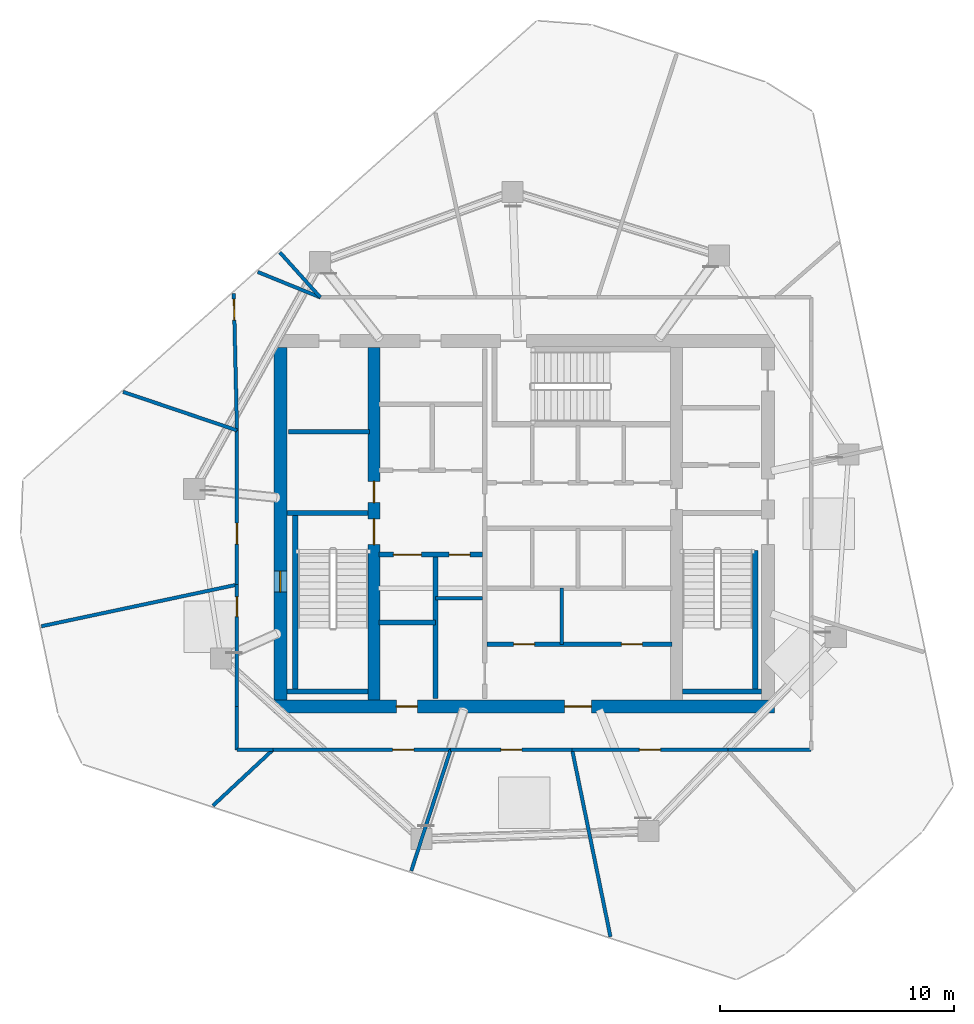
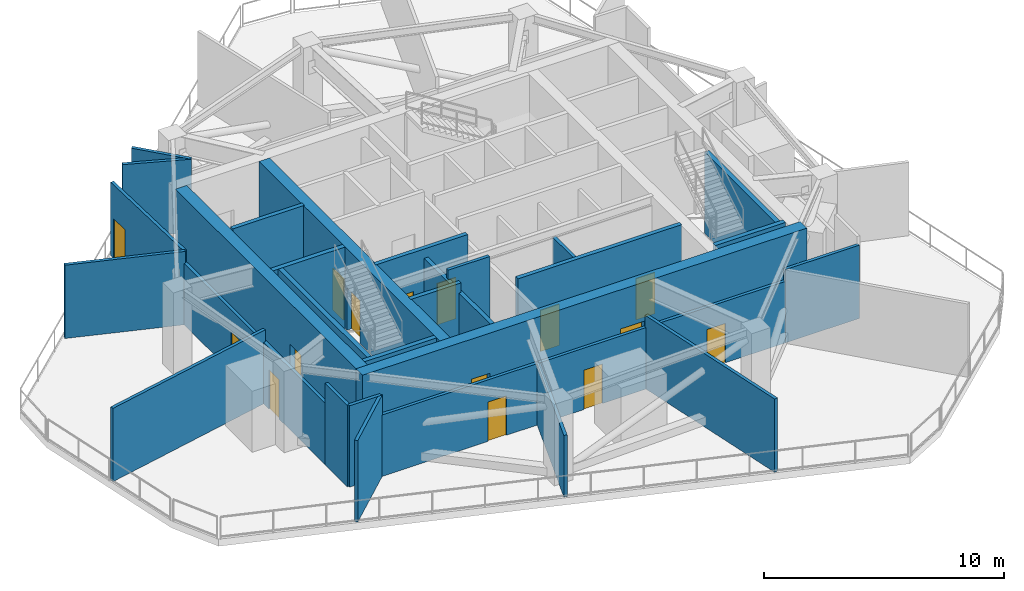
# One storey, part 2 of 6: 31 walls, 15 doors, 15 openings.
"""IFC4 building model written with IfcOpenShell, lengths in metres."""

import ifcopenshell
import ifcopenshell.guid

model = None  # the IFC model being written
_history = None  # IfcOwnerHistory: only IFC2X3 demands one
_inside = {}  # id of a spatial element -> (the spatial element, [elements in it])
_under = {}  # id of a project, library or spatial element -> (it, [spatial elements below it])
_declared = {}  # id of a project -> (the project, [libraries it declares])
_typed = {}  # id of a type object -> (the type object, [elements of that type])
_made_of = {}  # id of a material, layer set ... -> (it, [elements and type objects made of it])


def new_model(schema):
    """Start an empty IFC model of exactly this schema.

    Asked for "IFC4X3", IfcOpenShell would pick the latest addendum, in which some entities
    have other attributes; the version numbers below select the first issue.
    IFC2X3 requires an IfcOwnerHistory on every rooted entity: one is made here for all.
    """
    global model, _history
    if schema == "IFC4X3":
        model = ifcopenshell.file(schema_version=(4, 3, 0, 0))
    else:
        model = ifcopenshell.file(schema=schema)
    _inside.clear()
    _under.clear()
    _declared.clear()
    _typed.clear()
    _made_of.clear()
    _history = None
    if model.schema == "IFC2X3":
        org = make("IfcOrganization", Name="unknown")
        user = make(
            "IfcPersonAndOrganization",
            ThePerson=make("IfcPerson", FamilyName="unknown"),
            TheOrganization=org,
        )
        app = make(
            "IfcApplication",
            ApplicationDeveloper=org,
            Version="unknown",
            ApplicationFullName="unknown",
            ApplicationIdentifier="unknown",
        )
        _history = make(
            "IfcOwnerHistory",
            OwningUser=user,
            OwningApplication=app,
            ChangeAction="ADDED",
            CreationDate=0,
        )
    return model


def make(cls, **values):
    """One entity of the class cls with the attributes given. An attribute that is None is left unset."""
    return model.create_entity(
        cls, **{name: value for name, value in values.items() if value is not None}
    )


def rooted(cls, **values):
    """An entity with a GlobalId (a new one), such as an element, a storey or a relation."""
    return make(cls, GlobalId=ifcopenshell.guid.new(), OwnerHistory=_history, **values)


def si_unit(unit_type, name, prefix=None):
    """IfcSIUnit, for example si_unit("LENGTHUNIT", "METRE", prefix="MILLI")."""
    return make("IfcSIUnit", UnitType=unit_type, Prefix=prefix, Name=name)


def assignment(units):
    """IfcUnitAssignment: the units of a project."""
    return None if units is None else make("IfcUnitAssignment", Units=units)


def point(xyz):
    """IfcCartesianPoint."""
    return None if xyz is None else make("IfcCartesianPoint", Coordinates=xyz)


def direction(xyz):
    """IfcDirection."""
    return None if xyz is None else make("IfcDirection", DirectionRatios=xyz)


def frame(location, z_axis=None, x_axis=None):
    """IfcAxis2Placement3D, a coordinate frame: its origin and axes. An axis left out is left unset."""
    return make(
        "IfcAxis2Placement3D",
        Location=point(location),
        Axis=direction(z_axis),
        RefDirection=direction(x_axis),
    )


def frame_2d(location, x_axis=None):
    """IfcAxis2Placement2D, a coordinate frame in the plane: its origin and x axis."""
    return make(
        "IfcAxis2Placement2D", Location=point(location), RefDirection=direction(x_axis)
    )


def origin():
    """The frame at (0, 0, 0) with its axes left unset."""
    return frame((0.0, 0.0, 0.0))


def place(relative_to, where):
    """IfcLocalPlacement: puts the frame where relative to a parent placement (None: the world)."""
    return make(
        "IfcLocalPlacement", PlacementRelTo=relative_to, RelativePlacement=where
    )


def context(
    kind, dimensions, precision=None, world=None, true_north=None, identifier=None
):
    """IfcGeometricRepresentationContext, for example the 3D "Model" context."""
    return make(
        "IfcGeometricRepresentationContext",
        ContextIdentifier=identifier,
        ContextType=kind,
        CoordinateSpaceDimension=dimensions,
        Precision=precision,
        WorldCoordinateSystem=world,
        TrueNorth=true_north,
    )


def subcontext(parent, identifier, kind, view, scale=None):
    """IfcGeometricRepresentationSubContext, for example "Body" below "Model"."""
    return make(
        "IfcGeometricRepresentationSubContext",
        ContextIdentifier=identifier,
        ContextType=kind,
        ParentContext=parent,
        TargetScale=scale,
        TargetView=view,
    )


def project(units=None, contexts=None):
    """IfcProject with its units and contexts."""
    return rooted(
        "IfcProject",
        Name="project",
        RepresentationContexts=contexts,
        UnitsInContext=assignment(units),
    )


def spatial(cls, under=None, at=None, **own):
    """A site, building, storey or space (cls), placed at a placement, below another one or the project."""
    s = rooted(cls, ObjectPlacement=at, **own)
    if under is not None:
        _under.setdefault(under.id(), (under, []))[1].append(s)
    return s


def profile(cls, at=None, kind="AREA", **sizes):
    """A parametric profile (cls). Its sizes go by their IFC names, for example OverallWidth=200.0."""
    return make(cls, ProfileType=kind, Position=at, **sizes)


def rectangle(**sizes):
    """IfcRectangleProfileDef."""
    return profile("IfcRectangleProfileDef", **sizes)


def extrude(swept, where, along, depth):
    """IfcExtrudedAreaSolid: the profile swept, set in the frame where, extruded along a direction by depth."""
    return make(
        "IfcExtrudedAreaSolid",
        SweptArea=swept,
        Position=where,
        ExtrudedDirection=direction(along),
        Depth=depth,
    )


def shape(context_of_items, identifier, shape_type, items):
    """IfcShapeRepresentation: the items that make up one representation, for example the "Body"."""
    return make(
        "IfcShapeRepresentation",
        ContextOfItems=context_of_items,
        RepresentationIdentifier=identifier,
        RepresentationType=shape_type,
        Items=items,
    )


def material(Name=None, Category=None):
    """IfcMaterial."""
    return make("IfcMaterial", Name=Name, Category=Category)


def layer(
    of_material, thickness, ventilated=None, Name=None, Category=None, Priority=None
):
    """IfcMaterialLayer: one layer of a wall or slab, of a material (None: an air gap)."""
    return make(
        "IfcMaterialLayer",
        Material=of_material,
        LayerThickness=thickness,
        IsVentilated=ventilated,
        Name=Name,
        Category=Category,
        Priority=Priority,
    )


def layer_set(layers, Name=None):
    """IfcMaterialLayerSet."""
    return make("IfcMaterialLayerSet", MaterialLayers=layers, LayerSetName=Name)


def made_of(thing, what):
    """Note that an element or type object is made of a material, layer set ...; save() writes the relation."""
    if what is not None:
        _made_of.setdefault(what.id(), (what, []))[1].append(thing)
    return thing


def type_object(cls, material=None, **own):
    """A type object (cls), such as IfcWallType, which elements share."""
    return made_of(rooted(cls, **own), material)


def element(
    cls,
    number,
    at=None,
    inside=None,
    cuts=None,
    type_object=None,
    material=None,
    context=None,
    identifier="Body",
    shape_type=None,
    held_by="IfcProductDefinitionShape",
    body=None,
    shapes=None,
    **own,
):
    """One element of the class cls, such as IfcWall. Its Tag is "e" and its number.

    at: its placement. inside: the storey or other place that contains it. cuts: it is an
    opening in that element (IfcRelVoidsElement). A single representation is given by context,
    identifier, shape_type and body (its items); several are given by shapes. held_by: the class
    of the entity that holds the representations. save() writes the other relations.
    """
    e = rooted(cls, Tag="e%d" % number, ObjectPlacement=at, **own)
    if body is not None:
        shapes = [shape(context, identifier, shape_type, body)]
    if shapes is not None:
        e.Representation = make(held_by, Representations=shapes)
    if inside is not None:
        _inside.setdefault(inside.id(), (inside, []))[1].append(e)
    if cuts is not None:
        rooted(
            "IfcRelVoidsElement", RelatingBuildingElement=cuts, RelatedOpeningElement=e
        )
    if type_object is not None:
        _typed.setdefault(type_object.id(), (type_object, []))[1].append(e)
    return made_of(e, material)


def fill(opening, filler):
    """IfcRelFillsElement: the door or window that sits in an opening."""
    return rooted(
        "IfcRelFillsElement",
        RelatingOpeningElement=opening,
        RelatedBuildingElement=filler,
    )


def aggregate(whole, parts):
    """IfcRelAggregates: a whole, such as a stair, and the parts it consists of."""
    return rooted("IfcRelAggregates", RelatingObject=whole, RelatedObjects=parts)


def save(model, path):
    """Write the relations noted so far, then the file.

    IfcRelAggregates (storeys below a building ...), IfcRelContainedInSpatialStructure (elements
    in a storey), IfcRelDefinesByType, IfcRelAssociatesMaterial and IfcRelDeclares: one each for
    every whole, place, type object, material and project.
    """
    for whole, parts in _under.values():
        aggregate(whole, parts)
    for where, things in _inside.values():
        rooted(
            "IfcRelContainedInSpatialStructure",
            RelatedElements=things,
            RelatingStructure=where,
        )
    for kind, things in _typed.values():
        rooted("IfcRelDefinesByType", RelatedObjects=things, RelatingType=kind)
    for what, things in _made_of.values():
        rooted("IfcRelAssociatesMaterial", RelatedObjects=things, RelatingMaterial=what)
    for by, libraries in _declared.values():
        rooted("IfcRelDeclares", RelatingContext=by, RelatedDefinitions=libraries)
    model.write(path)


model = new_model("IFC4")

# Units and contexts
model_context = context("Model", 3, precision=1e-05, world=origin(), true_north=direction((0.0, 1.0)))
body_context = subcontext(model_context, "Body", "Model", "MODEL_VIEW")
ifc_project = project(units=[si_unit("LENGTHUNIT", "METRE"), si_unit("AREAUNIT", "SQUARE_METRE"), si_unit("VOLUMEUNIT", "CUBIC_METRE"), si_unit("PLANEANGLEUNIT", "RADIAN"), si_unit("MASSUNIT", "GRAM", prefix="KILO")], contexts=[model_context])

# Site, building, storey
site_placement = place(None, origin())
site = spatial("IfcSite", under=ifc_project, at=site_placement, CompositionType="ELEMENT")
building_placement = place(site_placement, origin())
building = spatial("IfcBuilding", under=site, at=building_placement, Name="Qarnah Convention Tower", CompositionType="ELEMENT")
storey_placement = place(building_placement, frame((0.0, 0.0, 223.800048828125)))
storey = spatial("IfcBuildingStorey", under=building, at=storey_placement, Name="L60", CompositionType="ELEMENT", Elevation=223.800048828125)

# Wall, openings, doors
ifc_material_1 = material(Name="Concrete C60/75", Category="concrete")
ifc_layer_1 = layer(ifc_material_1, 0.550048828125)
ifc_layer_set_1 = layer_set([ifc_layer_1], Name="Concrete C60/75")
wall_type_1 = type_object("IfcWallType", Name="WL-CORE-550", PredefinedType="SHEAR", material=ifc_layer_set_1)
wall_1_placement = place(storey_placement, frame((26.52490234375, 18.60009765625, 0.0), z_axis=(0.0, 0.0, 1.0), x_axis=(1.0, 0.0, 0.0)))
wall_1 = element("IfcWall", 1, at=wall_1_placement, inside=storey, type_object=wall_type_1, Name="L60 core south shear wall", PredefinedType="SHEAR", context=body_context, shape_type="SweptSolid", body=[
    extrude(rectangle(XDim=21.35009765625, YDim=0.550048828125, at=frame_2d((10.675048828125, 0.0))), origin(), (0.0, 0.0, 1.0), 4.139892578125),
])
opening_1_placement = place(wall_1_placement, frame((12.39990234375, 0.0, 0.0)))
opening_1 = element("IfcOpeningElement", 2, at=opening_1_placement, cuts=wall_1, Name="Opening D-6007", PredefinedType="OPENING", context=body_context, shape_type="SweptSolid", body=[
    extrude(rectangle(XDim=1.14990234375, YDim=2.14990234375, at=frame_2d((0.574951171875, 1.074951171875))), frame((0.0, 0.284912109375, 0.0), z_axis=(0.0, -1.0, 0.0), x_axis=(1.0, 0.0, 0.0)), (0.0, 0.0, 1.0), 0.570068359375),
])
opening_2_placement = place(wall_1_placement, frame((5.22509765625, 0.0, 0.0)))
opening_2 = element("IfcOpeningElement", 3, at=opening_2_placement, cuts=wall_1, Name="Opening D-6013", PredefinedType="OPENING", context=body_context, shape_type="SweptSolid", body=[
    extrude(rectangle(XDim=0.89990234375, YDim=2.10009765625, at=frame_2d((0.449951171875, 1.050048828125))), frame((0.0, 0.284912109375, 0.0), z_axis=(0.0, -1.0, 0.0), x_axis=(1.0, 0.0, 0.0)), (0.0, 0.0, 1.0), 0.570068359375),
])
ifc_material_2 = material(Name="Structural steel S355JR", Category="steel")
door_type_1 = type_object("IfcDoorType", Name="DT-LOBBY-1150", OperationType="NOTDEFINED", PredefinedType="DOOR", material=ifc_material_2)
door_1_placement = place(opening_1_placement, origin())
door_1 = element("IfcDoor", 4, at=door_1_placement, inside=storey, type_object=door_type_1, Name="Door D-6007", OperationType="SINGLE_SWING_LEFT", OverallHeight=2.14990234375, OverallWidth=1.14990234375, PredefinedType="DOOR", context=body_context, shape_type="SweptSolid", body=[
    extrude(rectangle(XDim=1.14990234375, YDim=2.14990234375, at=frame_2d((0.574951171875, 1.074951171875))), frame((0.0, 0.02490234375, 0.0), z_axis=(0.0, -1.0, 0.0), x_axis=(1.0, 0.0, 0.0)), (0.0, 0.0, 1.0), 0.050048828125),
])
fill(opening_1, door_1)
door_type_2 = type_object("IfcDoorType", Name="DT-RISER-900", OperationType="NOTDEFINED", PredefinedType="DOOR", material=ifc_material_2)
door_2_placement = place(opening_2_placement, origin())
door_2 = element("IfcDoor", 5, at=door_2_placement, inside=storey, type_object=door_type_2, Name="Door D-6013", OperationType="SINGLE_SWING_LEFT", OverallHeight=2.10009765625, OverallWidth=0.89990234375, PredefinedType="DOOR", context=body_context, shape_type="SweptSolid", body=[
    extrude(rectangle(XDim=0.89990234375, YDim=2.10009765625, at=frame_2d((0.449951171875, 1.050048828125))), frame((0.0, 0.02490234375, 0.0), z_axis=(0.0, -1.0, 0.0), x_axis=(1.0, 0.0, 0.0)), (0.0, 0.0, 1.0), 0.050048828125),
])
fill(opening_2, door_2)

# Wall, opening, door
wall_2_placement = place(storey_placement, frame((26.800048828125, 18.875, 0.0), z_axis=(0.0, 0.0, 1.0), x_axis=(0.0, 1.0, 0.0)))
wall_2 = element("IfcWall", 6, at=wall_2_placement, inside=storey, type_object=wall_type_1, Name="L60 core west shear wall", PredefinedType="SHEAR", context=body_context, shape_type="SweptSolid", body=[
    extrude(rectangle(XDim=15.050048828125, YDim=0.550048828125, at=frame_2d((7.52490234375, 0.0))), origin(), (0.0, 0.0, 1.0), 4.139892578125),
])
opening_3_placement = place(wall_2_placement, frame((4.60009765625, 0.0, 0.02001953125)))
opening_3 = element("IfcOpeningElement", 7, at=opening_3_placement, cuts=wall_2, Name="Opening HT-6001", PredefinedType="OPENING", context=body_context, shape_type="SweptSolid", body=[
    extrude(rectangle(XDim=0.89990234375, YDim=2.02001953125, at=frame_2d((0.449951171875, 1.010009765625))), frame((0.0, 0.284912109375, 0.0), z_axis=(0.0, -1.0, 0.0), x_axis=(1.0, 0.0, 0.0)), (0.0, 0.0, 1.0), 0.570068359375),
])
door_type_3 = type_object("IfcDoorType", Name="DT-HATCH-900", OperationType="NOTDEFINED", PredefinedType="TRAPDOOR", material=ifc_material_2)
door_3_placement = place(opening_3_placement, origin())
door_3 = element("IfcDoor", 8, at=door_3_placement, inside=storey, type_object=door_type_3, Name="L60 mechanical plenum access trapdoor", OperationType="SINGLE_SWING_LEFT", OverallHeight=2.02001953125, OverallWidth=0.89990234375, PredefinedType="TRAPDOOR", context=body_context, shape_type="SweptSolid", body=[
    extrude(rectangle(XDim=0.89990234375, YDim=2.02001953125, at=frame_2d((0.449951171875, 1.010009765625))), frame((0.0, 0.02490234375, 0.0), z_axis=(0.0, -1.0, 0.0), x_axis=(1.0, 0.0, 0.0)), (0.0, 0.0, 1.0), 0.050048828125),
])
fill(opening_3, door_3)

# Wall, openings, doors
ifc_layer_2 = layer(ifc_material_1, 0.5)
ifc_layer_set_2 = layer_set([ifc_layer_2], Name="Concrete C60/75")
wall_type_2 = type_object("IfcWallType", Name="WL-CORE-INT-400", PredefinedType="SHEAR", material=ifc_layer_set_2)
wall_3_placement = place(storey_placement, frame((30.800048828125, 18.875, 0.0), z_axis=(0.0, 0.0, 1.0), x_axis=(0.0, 1.0, 0.0)))
wall_3 = element("IfcWall", 9, at=wall_3_placement, inside=storey, type_object=wall_type_2, Name="L60 core west spine shear wall", PredefinedType="SHEAR", context=body_context, shape_type="SweptSolid", body=[
    extrude(rectangle(XDim=15.050048828125, YDim=0.5, at=frame_2d((7.52490234375, 0.0))), origin(), (0.0, 0.0, 1.0), 4.139892578125),
])
opening_4_placement = place(wall_3_placement, frame((6.625, 0.0, 0.0)))
opening_4 = element("IfcOpeningElement", 10, at=opening_4_placement, cuts=wall_3, Name="Opening D-6001", PredefinedType="OPENING", context=body_context, shape_type="SweptSolid", body=[
    extrude(rectangle(XDim=1.10009765625, YDim=2.14990234375, at=frame_2d((0.550048828125, 1.074951171875))), frame((0.0, 0.260009765625, 0.0), z_axis=(0.0, -1.0, 0.0), x_axis=(1.0, 0.0, 0.0)), (0.0, 0.0, 1.0), 0.52001953125),
])
opening_5_placement = place(wall_3_placement, frame((8.425048828125, 0.0, 0.0)))
opening_5 = element("IfcOpeningElement", 11, at=opening_5_placement, cuts=wall_3, Name="Opening D-6008", PredefinedType="OPENING", context=body_context, shape_type="SweptSolid", body=[
    extrude(rectangle(XDim=0.89990234375, YDim=2.10009765625, at=frame_2d((0.449951171875, 1.050048828125))), frame((0.0, 0.260009765625, 0.0), z_axis=(0.0, -1.0, 0.0), x_axis=(1.0, 0.0, 0.0)), (0.0, 0.0, 1.0), 0.52001953125),
])
door_4_placement = place(opening_5_placement, origin())
door_4 = element("IfcDoor", 12, at=door_4_placement, inside=storey, type_object=door_type_2, Name="Door D-6008", OperationType="SINGLE_SWING_RIGHT", OverallHeight=2.10009765625, OverallWidth=0.89990234375, PredefinedType="DOOR", context=body_context, shape_type="SweptSolid", body=[
    extrude(rectangle(XDim=0.89990234375, YDim=2.10009765625, at=frame_2d((0.449951171875, 1.050048828125))), frame((0.0, 0.02490234375, 0.0), z_axis=(0.0, -1.0, 0.0), x_axis=(1.0, 0.0, 0.0)), (0.0, 0.0, 1.0), 0.050048828125),
])
fill(opening_5, door_4)
door_type_4 = type_object("IfcDoorType", Name="DT-STAIR-1100", OperationType="NOTDEFINED", PredefinedType="DOOR", material=ifc_material_2)
door_5_placement = place(opening_4_placement, origin())
door_5 = element("IfcDoor", 13, at=door_5_placement, inside=storey, type_object=door_type_4, Name="Door D-6001", OperationType="SINGLE_SWING_LEFT", OverallHeight=2.14990234375, OverallWidth=1.10009765625, PredefinedType="DOOR", context=body_context, shape_type="SweptSolid", body=[
    extrude(rectangle(XDim=1.10009765625, YDim=2.14990234375, at=frame_2d((0.550048828125, 1.074951171875))), frame((0.0, 0.02490234375, 0.0), z_axis=(0.0, -1.0, 0.0), x_axis=(1.0, 0.0, 0.0)), (0.0, 0.0, 1.0), 0.050048828125),
])
fill(opening_4, door_5)

# Wall
ifc_material_3 = material(Name="Concrete C45/55", Category="concrete")
ifc_layer_3 = layer(ifc_material_3, 0.199951171875)
ifc_layer_set_3 = layer_set([ifc_layer_3], Name="Concrete C45/55")
wall_type_3 = type_object("IfcWallType", Name="WL-CORE-PART-200", PredefinedType="SOLIDWALL", material=ifc_layer_set_3)
wall_4_placement = place(storey_placement, frame((27.14990234375, 30.320068359375, 0.0), z_axis=(0.0, 0.0, 1.0), x_axis=(1.0, 0.0, 0.0)))
element("IfcWall", 14, at=wall_4_placement, inside=storey, type_object=wall_type_3, Name="L60 interior wall IW-L60-ELRN", PredefinedType="SOLIDWALL", context=body_context, shape_type="SweptSolid", body=[
    extrude(rectangle(XDim=3.4501953125, YDim=0.199951171875, at=frame_2d((1.72509765625, 0.0))), origin(), (0.0, 0.0, 1.0), 4.139892578125),
])

# Wall, openings, doors
wall_5_placement = place(storey_placement, frame((31.0, 25.080078125, 0.0), z_axis=(0.0, 0.0, 1.0), x_axis=(1.0, 0.0, 0.0)))
wall_5 = element("IfcWall", 15, at=wall_5_placement, inside=storey, type_object=wall_type_3, Name="L60 interior wall IW-L60-FFLBS", PredefinedType="SOLIDWALL", context=body_context, shape_type="SweptSolid", body=[
    extrude(rectangle(XDim=4.419921875, YDim=0.199951171875, at=frame_2d((2.2099609375, 0.0))), origin(), (0.0, 0.0, 1.0), 4.139892578125),
])
opening_6_placement = place(wall_5_placement, frame((3.0, 0.0, 0.0)))
opening_6 = element("IfcOpeningElement", 16, at=opening_6_placement, cuts=wall_5, Name="Opening D-6015", PredefinedType="OPENING", context=body_context, shape_type="SweptSolid", body=[
    extrude(rectangle(XDim=0.89990234375, YDim=2.10009765625, at=frame_2d((0.449951171875, 1.050048828125))), frame((0.0, 0.10986328125, 0.0), z_axis=(0.0, -1.0, 0.0), x_axis=(1.0, 0.0, 0.0)), (0.0, 0.0, 1.0), 0.219970703125),
])
opening_7_placement = place(wall_5_placement, frame((0.6201171875, 0.0, 0.0)))
opening_7 = element("IfcOpeningElement", 17, at=opening_7_placement, cuts=wall_5, Name="Opening LD-6003", PredefinedType="OPENING", context=body_context, shape_type="SweptSolid", body=[
    extrude(rectangle(XDim=1.199951171875, YDim=2.14990234375, at=frame_2d((0.60009765625, 1.074951171875))), frame((0.0, 0.10986328125, 0.0), z_axis=(0.0, -1.0, 0.0), x_axis=(1.0, 0.0, 0.0)), (0.0, 0.0, 1.0), 0.219970703125),
])
door_type_5 = type_object("IfcDoorType", Name="DT-LIFT-1200", OperationType="SLIDING_TO_LEFT", PredefinedType="DOOR", material=ifc_material_2)
door_6_placement = place(opening_7_placement, origin())
door_6 = element("IfcDoor", 18, at=door_6_placement, inside=storey, type_object=door_type_5, Name="Door LD-6003", OperationType="SLIDING_TO_LEFT", OverallHeight=2.14990234375, OverallWidth=1.199951171875, PredefinedType="DOOR", context=body_context, shape_type="SweptSolid", body=[
    extrude(rectangle(XDim=1.199951171875, YDim=2.14990234375, at=frame_2d((0.60009765625, 1.074951171875))), frame((0.0, 0.02490234375, 0.0), z_axis=(0.0, -1.0, 0.0), x_axis=(1.0, 0.0, 0.0)), (0.0, 0.0, 1.0), 0.050048828125),
])
fill(opening_7, door_6)
door_7_placement = place(opening_6_placement, origin())
door_7 = element("IfcDoor", 19, at=door_7_placement, inside=storey, type_object=door_type_2, Name="Door D-6015", OperationType="SINGLE_SWING_LEFT", OverallHeight=2.10009765625, OverallWidth=0.89990234375, PredefinedType="DOOR", context=body_context, shape_type="SweptSolid", body=[
    extrude(rectangle(XDim=0.89990234375, YDim=2.10009765625, at=frame_2d((0.449951171875, 1.050048828125))), frame((0.0, 0.02490234375, 0.0), z_axis=(0.0, -1.0, 0.0), x_axis=(1.0, 0.0, 0.0)), (0.0, 0.0, 1.0), 0.050048828125),
])
fill(opening_6, door_7)

# Walls
wall_6_placement = place(storey_placement, frame((33.419921875, 18.949951171875, 0.0), z_axis=(0.0, 0.0, 1.0), x_axis=(0.0, 1.0, 0.0)))
element("IfcWall", 20, at=wall_6_placement, inside=storey, type_object=wall_type_3, Name="L60 interior wall IW-L60-SVLE", PredefinedType="SOLIDWALL", context=body_context, shape_type="SweptSolid", body=[
    extrude(rectangle(XDim=6.130126953125, YDim=0.199951171875, at=frame_2d((3.06494140625, 0.0))), origin(), (0.0, 0.0, 1.0), 3.660888671875),
])
wall_7_placement = place(storey_placement, frame((31.0, 22.179931640625, 0.0), z_axis=(0.0, 0.0, 1.0), x_axis=(1.0, 0.0, 0.0)))
element("IfcWall", 21, at=wall_7_placement, inside=storey, type_object=wall_type_3, Name="L60 interior wall IW-L60-SVLS", PredefinedType="SOLIDWALL", context=body_context, shape_type="SweptSolid", body=[
    extrude(rectangle(XDim=2.419921875, YDim=0.199951171875, at=frame_2d((1.2099609375, 0.0))), origin(), (0.0, 0.0, 1.0), 4.139892578125),
])

# Wall, openings, doors
wall_8_placement = place(storey_placement, frame((35.6201171875, 21.25, 0.0), z_axis=(0.0, 0.0, 1.0), x_axis=(1.0, 0.0, 0.0)))
wall_8 = element("IfcWall", 22, at=wall_8_placement, inside=storey, type_object=wall_type_3, Name="L60 interior wall IW-L60-PLS", PredefinedType="SOLIDWALL", context=body_context, shape_type="SweptSolid", body=[
    extrude(rectangle(XDim=7.8798828125, YDim=0.199951171875, at=frame_2d((3.93994140625, 0.0))), origin(), (0.0, 0.0, 1.0), 4.139892578125),
])
opening_8_placement = place(wall_8_placement, frame((1.1298828125, 0.0, 0.0)))
opening_8 = element("IfcOpeningElement", 23, at=opening_8_placement, cuts=wall_8, Name="Opening D-6016", PredefinedType="OPENING", context=body_context, shape_type="SweptSolid", body=[
    extrude(rectangle(XDim=0.89990234375, YDim=2.10009765625, at=frame_2d((0.449951171875, 1.050048828125))), frame((0.0, 0.10986328125, 0.0), z_axis=(0.0, -1.0, 0.0), x_axis=(1.0, 0.0, 0.0)), (0.0, 0.0, 1.0), 0.219970703125),
])
opening_9_placement = place(wall_8_placement, frame((5.72998046875, 0.0, 0.0)))
opening_9 = element("IfcOpeningElement", 24, at=opening_9_placement, cuts=wall_8, Name="Opening D-6017", PredefinedType="OPENING", context=body_context, shape_type="SweptSolid", body=[
    extrude(rectangle(XDim=0.89990234375, YDim=2.10009765625, at=frame_2d((0.449951171875, 1.050048828125))), frame((0.0, 0.10986328125, 0.0), z_axis=(0.0, -1.0, 0.0), x_axis=(1.0, 0.0, 0.0)), (0.0, 0.0, 1.0), 0.219970703125),
])
door_8_placement = place(opening_8_placement, origin())
door_8 = element("IfcDoor", 25, at=door_8_placement, inside=storey, type_object=door_type_2, Name="Door D-6016", OperationType="SINGLE_SWING_RIGHT", OverallHeight=2.10009765625, OverallWidth=0.89990234375, PredefinedType="DOOR", context=body_context, shape_type="SweptSolid", body=[
    extrude(rectangle(XDim=0.89990234375, YDim=2.10009765625, at=frame_2d((0.449951171875, 1.050048828125))), frame((0.0, 0.02490234375, 0.0), z_axis=(0.0, -1.0, 0.0), x_axis=(1.0, 0.0, 0.0)), (0.0, 0.0, 1.0), 0.050048828125),
])
fill(opening_8, door_8)
door_9_placement = place(opening_9_placement, origin())
door_9 = element("IfcDoor", 26, at=door_9_placement, inside=storey, type_object=door_type_2, Name="Door D-6017", OperationType="SINGLE_SWING_LEFT", OverallHeight=2.10009765625, OverallWidth=0.89990234375, PredefinedType="DOOR", context=body_context, shape_type="SweptSolid", body=[
    extrude(rectangle(XDim=0.89990234375, YDim=2.10009765625, at=frame_2d((0.449951171875, 1.050048828125))), frame((0.0, 0.02490234375, 0.0), z_axis=(0.0, -1.0, 0.0), x_axis=(1.0, 0.0, 0.0)), (0.0, 0.0, 1.0), 0.050048828125),
])
fill(opening_9, door_9)

# Walls
ifc_layer_4 = layer(ifc_material_1, 0.219970703125)
ifc_layer_set_4 = layer_set([ifc_layer_4], Name="Concrete C60/75")
wall_type_4 = type_object("IfcWallType", Name="WL-CORE-STAIR-220", PredefinedType="SHEAR", material=ifc_layer_set_4)
wall_9_placement = place(storey_placement, frame((27.074951171875, 26.860107421875, 0.0), z_axis=(0.0, 0.0, 1.0), x_axis=(1.0, 0.0, 0.0)))
element("IfcWall", 27, at=wall_9_placement, inside=storey, type_object=wall_type_4, Name="L60 stair shaft shear wall SW-L60-ST1N", PredefinedType="SHEAR", context=body_context, shape_type="SweptSolid", body=[
    extrude(rectangle(XDim=3.47509765625, YDim=0.219970703125, at=frame_2d((1.737548828125, 0.0))), origin(), (0.0, 0.0, 1.0), 4.139892578125),
])
wall_10_placement = place(storey_placement, frame((27.43994140625, 19.35009765625, 0.0), z_axis=(0.0, 0.0, 1.0), x_axis=(0.0, 1.0, 0.0)))
element("IfcWall", 28, at=wall_10_placement, inside=storey, type_object=wall_type_4, Name="L60 stair shaft shear wall SW-L60-ST1W", PredefinedType="SHEAR", context=body_context, shape_type="SweptSolid", body=[
    extrude(rectangle(XDim=7.39990234375, YDim=0.219970703125, at=frame_2d((3.699951171875, 0.0))), origin(), (0.0, 0.0, 1.0), 4.139892578125),
])
wall_11_placement = place(storey_placement, frame((27.074951171875, 19.239990234375, 0.0), z_axis=(0.0, 0.0, 1.0), x_axis=(1.0, 0.0, 0.0)))
element("IfcWall", 29, at=wall_11_placement, inside=storey, type_object=wall_type_4, Name="L60 stair shaft shear wall SW-L60-ST1S", PredefinedType="SHEAR", context=body_context, shape_type="SweptSolid", body=[
    extrude(rectangle(XDim=3.47509765625, YDim=0.219970703125, at=frame_2d((1.737548828125, 0.0))), origin(), (0.0, 0.0, 1.0), 4.139892578125),
])
wall_12_placement = place(storey_placement, frame((47.06005859375, 19.35009765625, 0.0), z_axis=(0.0, 0.0, 1.0), x_axis=(0.0, 1.0, 0.0)))
element("IfcWall", 30, at=wall_12_placement, inside=storey, type_object=wall_type_4, Name="L60 stair shaft shear wall SW-L60-ST2E", PredefinedType="SHEAR", context=body_context, shape_type="SweptSolid", body=[
    extrude(rectangle(XDim=5.89990234375, YDim=0.219970703125, at=frame_2d((2.949951171875, 0.0))), origin(), (0.0, 0.0, 1.0), 4.139892578125),
])
wall_13_placement = place(storey_placement, frame((43.949951171875, 19.239990234375, 0.0), z_axis=(0.0, 0.0, 1.0), x_axis=(1.0, 0.0, 0.0)))
element("IfcWall", 31, at=wall_13_placement, inside=storey, type_object=wall_type_4, Name="L60 stair shaft shear wall SW-L60-ST2S", PredefinedType="SHEAR", context=body_context, shape_type="SweptSolid", body=[
    extrude(rectangle(XDim=3.375, YDim=0.219970703125, at=frame_2d((1.6875, 0.0))), origin(), (0.0, 0.0, 1.0), 4.139892578125),
])
ifc_material_4 = material(Name="Gypsum partition board")
ifc_layer_5 = layer(ifc_material_4, 0.14990234375)
ifc_layer_set_5 = layer_set([ifc_layer_5], Name="Gypsum partition board")
wall_type_5 = type_object("IfcWallType", Name="WL-SUITE-150", PredefinedType="PARTITIONING", material=ifc_layer_set_5)
wall_14_placement = place(storey_placement, frame((33.419921875, 23.219970703125, 0.0), z_axis=(0.0, 0.0, 1.0), x_axis=(1.0, 0.0, 0.0)))
element("IfcWall", 32, at=wall_14_placement, inside=storey, type_object=wall_type_5, Name="L60 interior wall IW-L60-CSV1", PredefinedType="PARTITIONING", context=body_context, shape_type="SweptSolid", body=[
    extrude(rectangle(XDim=2.0, YDim=0.14990234375, at=frame_2d((1.0, 0.0))), origin(), (0.0, 0.0, 1.0), 4.139892578125),
])
wall_15_placement = place(storey_placement, frame((38.800048828125, 21.25, 0.0), z_axis=(0.0, 0.0, 1.0), x_axis=(0.0, 1.0, 0.0)))
element("IfcWall", 33, at=wall_15_placement, inside=storey, type_object=wall_type_5, Name="L60 interior wall IW-L60-PLFD", PredefinedType="PARTITIONING", context=body_context, shape_type="SweptSolid", body=[
    extrude(rectangle(XDim=2.39990234375, YDim=0.14990234375, at=frame_2d((1.199951171875, 0.0))), origin(), (0.0, 0.0, 1.0), 3.660888671875),
])
wall_16_placement = place(storey_placement, frame((26.779052734375, 37.97412109375, 0.0), z_axis=(0.0, 0.0, 1.0), x_axis=(0.669022043981, -0.743242561125, 0.0)))
element("IfcWall", 34, at=wall_16_placement, inside=storey, type_object=wall_type_5, Name="L60 interior wall IW-L60-R-06", PredefinedType="PARTITIONING", context=body_context, shape_type="SweptSolid", body=[
    extrude(rectangle(XDim=2.5888671875, YDim=0.14990234375, at=frame_2d((1.29443359375, 0.0))), origin(), (0.0, 0.0, 1.0), 3.724853515625),
])
wall_17_placement = place(storey_placement, frame((20.094970703125, 32.02099609375, 0.0), z_axis=(0.0, 0.0, 1.0), x_axis=(0.947340977862, -0.320226594247, 0.0)))
element("IfcWall", 35, at=wall_17_placement, inside=storey, type_object=wall_type_5, Name="L60 interior wall IW-L60-R-08", PredefinedType="PARTITIONING", context=body_context, shape_type="SweptSolid", body=[
    extrude(rectangle(XDim=5.124755859375, YDim=0.14990234375, at=frame_2d((2.5625, 0.0))), origin(), (0.0, 0.0, 1.0), 3.724853515625),
])

# Wall, opening, door
wall_18_placement = place(storey_placement, frame((24.949951171875, 30.3798828125, 0.0), z_axis=(0.0, 0.0, 1.0), x_axis=(-0.023103865091, 0.999733070083, 0.0)))
wall_18 = element("IfcWall", 36, at=wall_18_placement, inside=storey, type_object=wall_type_5, Name="L60 interior wall IW-L60-R-09", PredefinedType="PARTITIONING", context=body_context, shape_type="SweptSolid", body=[
    extrude(rectangle(XDim=5.843505859375, YDim=0.14990234375, at=frame_2d((2.921875, 0.0))), origin(), (0.0, 0.0, 1.0), 3.724853515625),
])
opening_10_placement = place(wall_18_placement, frame((4.7041015625, 0.0, 0.0)))
opening_10 = element("IfcOpeningElement", 37, at=opening_10_placement, cuts=wall_18, Name="Opening D-6021", PredefinedType="OPENING", context=body_context, shape_type="SweptSolid", body=[
    extrude(rectangle(XDim=0.89990234375, YDim=2.0, at=frame_2d((0.449951171875, 1.0))), frame((0.0, 0.0849609375, 0.0), z_axis=(0.0, -1.0, 0.0), x_axis=(1.0, 0.0, 0.0)), (0.0, 0.0, 1.0), 0.169921875),
])
door_type_6 = type_object("IfcDoorType", Name="DT-PLANT-900", OperationType="NOTDEFINED", PredefinedType="DOOR", material=ifc_material_2)
door_10_placement = place(opening_10_placement, origin())
door_10 = element("IfcDoor", 38, at=door_10_placement, inside=storey, type_object=door_type_6, Name="Door D-6021", OperationType="SINGLE_SWING_LEFT", OverallHeight=2.0, OverallWidth=0.89990234375, PredefinedType="DOOR", context=body_context, shape_type="SweptSolid", body=[
    extrude(rectangle(XDim=0.89990234375, YDim=2.0, at=frame_2d((0.449951171875, 1.0))), frame((0.0, 0.02490234375, 0.0), z_axis=(0.0, -1.0, 0.0), x_axis=(1.0, 0.0, 0.0)), (0.0, 0.0, 1.0), 0.050048828125),
])
fill(opening_10, door_10)

# Walls
wall_19_placement = place(storey_placement, frame((25.840087890625, 37.135986328125, 0.0), z_axis=(0.0, 0.0, 1.0), x_axis=(0.926359505319, -0.376640500883, 0.0)))
element("IfcWall", 39, at=wall_19_placement, inside=storey, type_object=wall_type_5, Name="L60 interior wall IW-L60-R-10", PredefinedType="PARTITIONING", context=body_context, shape_type="SweptSolid", body=[
    extrude(rectangle(XDim=2.88330078125, YDim=0.14990234375, at=frame_2d((1.441650390625, 0.0))), origin(), (0.0, 0.0, 1.0), 3.724853515625),
])
wall_20_placement = place(storey_placement, frame((16.60693359375, 22.02294921875, 0.0), z_axis=(0.0, 0.0, 1.0), x_axis=(0.978157468709, 0.207865260228, 0.0)))
element("IfcWall", 40, at=wall_20_placement, inside=storey, type_object=wall_type_5, Name="L60 interior wall IW-L60-R-11", PredefinedType="PARTITIONING", context=body_context, shape_type="SweptSolid", body=[
    extrude(rectangle(XDim=8.529296875, YDim=0.14990234375, at=frame_2d((4.2646484375, 0.0))), origin(), (0.0, 0.0, 1.0), 3.724853515625),
])

# Wall, opening, door
wall_21_placement = place(storey_placement, frame((24.949951171875, 23.7958984375, 0.0), z_axis=(0.0, 0.0, 1.0), x_axis=(0.0, 1.0, 0.0)))
wall_21 = element("IfcWall", 41, at=wall_21_placement, inside=storey, type_object=wall_type_5, Name="L60 interior wall IW-L60-R-12", PredefinedType="PARTITIONING", context=body_context, shape_type="SweptSolid", body=[
    extrude(rectangle(XDim=6.583984375, YDim=0.14990234375, at=frame_2d((3.2919921875, 0.0))), origin(), (0.0, 0.0, 1.0), 3.125),
])
opening_11_placement = place(wall_21_placement, frame((1.72705078125, 0.0, 0.0)))
opening_11 = element("IfcOpeningElement", 42, at=opening_11_placement, cuts=wall_21, Name="Opening D-6022", PredefinedType="OPENING", context=body_context, shape_type="SweptSolid", body=[
    extrude(rectangle(XDim=0.89990234375, YDim=2.0, at=frame_2d((0.449951171875, 1.0))), frame((0.0, 0.0849609375, 0.0), z_axis=(0.0, -1.0, 0.0), x_axis=(1.0, 0.0, 0.0)), (0.0, 0.0, 1.0), 0.169921875),
])
door_11_placement = place(opening_11_placement, origin())
door_11 = element("IfcDoor", 43, at=door_11_placement, inside=storey, type_object=door_type_6, Name="Door D-6022", OperationType="SINGLE_SWING_RIGHT", OverallHeight=2.0, OverallWidth=0.89990234375, PredefinedType="DOOR", context=body_context, shape_type="SweptSolid", body=[
    extrude(rectangle(XDim=0.89990234375, YDim=2.0, at=frame_2d((0.449951171875, 1.0))), frame((0.0, 0.02490234375, 0.0), z_axis=(0.0, -1.0, 0.0), x_axis=(1.0, 0.0, 0.0)), (0.0, 0.0, 1.0), 0.050048828125),
])
fill(opening_11, door_11)

# Walls
wall_22_placement = place(storey_placement, frame((23.924072265625, 14.365966796875, 0.0), z_axis=(0.0, 0.0, 1.0), x_axis=(0.731656227453, 0.681673796496, 0.0)))
element("IfcWall", 44, at=wall_22_placement, inside=storey, type_object=wall_type_5, Name="L60 interior wall IW-L60-R-13", PredefinedType="PARTITIONING", context=body_context, shape_type="SweptSolid", body=[
    extrude(rectangle(XDim=3.497314453125, YDim=0.14990234375, at=frame_2d((1.74853515625, 0.0))), origin(), (0.0, 0.0, 1.0), 4.139892578125),
])
wall_23_placement = place(storey_placement, frame((26.48291015625, 16.75, 0.0), z_axis=(0.0, 0.0, 1.0), x_axis=(-1.0, 0.0, 0.0)))
element("IfcWall", 45, at=wall_23_placement, inside=storey, type_object=wall_type_5, Name="L60 interior wall IW-L60-R-14", PredefinedType="PARTITIONING", context=body_context, shape_type="SweptSolid", body=[
    extrude(rectangle(XDim=1.532958984375, YDim=0.14990234375, at=frame_2d((0.7666015625, 0.0))), origin(), (0.0, 0.0, 1.0), 4.139892578125),
])
wall_24_placement = place(storey_placement, frame((24.949951171875, 16.75, 0.0), z_axis=(0.0, 0.0, 1.0), x_axis=(0.0, 1.0, 0.0)))
element("IfcWall", 46, at=wall_24_placement, inside=storey, type_object=wall_type_5, Name="L60 interior wall IW-L60-R-15", PredefinedType="PARTITIONING", context=body_context, shape_type="SweptSolid", body=[
    extrude(rectangle(XDim=1.85009765625, YDim=0.14990234375, at=frame_2d((0.925048828125, 0.0))), origin(), (0.0, 0.0, 1.0), 4.139892578125),
])

# Wall, opening, door
wall_25_placement = place(storey_placement, frame((24.949951171875, 18.60009765625, 0.0), z_axis=(0.0, 0.0, 1.0), x_axis=(0.0, 1.0, 0.0)))
wall_25 = element("IfcWall", 47, at=wall_25_placement, inside=storey, type_object=wall_type_5, Name="L60 interior wall IW-L60-R-16", PredefinedType="PARTITIONING", context=body_context, shape_type="SweptSolid", body=[
    extrude(rectangle(XDim=5.19580078125, YDim=0.14990234375, at=frame_2d((2.597900390625, 0.0))), origin(), (0.0, 0.0, 1.0), 3.125),
])
opening_12_placement = place(wall_25_placement, frame((3.830078125, 0.0, 0.0)))
opening_12 = element("IfcOpeningElement", 48, at=opening_12_placement, cuts=wall_25, Name="Opening D-6023", PredefinedType="OPENING", context=body_context, shape_type="SweptSolid", body=[
    extrude(rectangle(XDim=0.85009765625, YDim=2.0, at=frame_2d((0.425048828125, 1.0))), frame((0.0, 0.0849609375, 0.0), z_axis=(0.0, -1.0, 0.0), x_axis=(1.0, 0.0, 0.0)), (0.0, 0.0, 1.0), 0.169921875),
])
ifc_material_5 = material(Name="Oak timber veneer", Category="wood")
door_type_7 = type_object("IfcDoorType", Name="DT-BATH-850", OperationType="NOTDEFINED", PredefinedType="DOOR", material=ifc_material_5)
door_12_placement = place(opening_12_placement, origin())
door_12 = element("IfcDoor", 49, at=door_12_placement, inside=storey, type_object=door_type_7, Name="Door D-6023", OperationType="SINGLE_SWING_LEFT", OverallHeight=2.0, OverallWidth=0.85009765625, PredefinedType="DOOR", context=body_context, shape_type="SweptSolid", body=[
    extrude(rectangle(XDim=0.85009765625, YDim=2.0, at=frame_2d((0.425048828125, 1.0))), frame((0.0, 0.02490234375, 0.0), z_axis=(0.0, -1.0, 0.0), x_axis=(1.0, 0.0, 0.0)), (0.0, 0.0, 1.0), 0.050048828125),
])
fill(opening_12, door_12)

# Wall
wall_26_placement = place(storey_placement, frame((32.386962890625, 11.587890625, 0.0), z_axis=(0.0, 0.0, 1.0), x_axis=(0.309134889379, 0.951018201807, 0.0)))
element("IfcWall", 50, at=wall_26_placement, inside=storey, type_object=wall_type_5, Name="L60 interior wall IW-L60-R-17", PredefinedType="PARTITIONING", context=body_context, shape_type="SweptSolid", body=[
    extrude(rectangle(XDim=5.427978515625, YDim=0.14990234375, at=frame_2d((2.7138671875, 0.0))), origin(), (0.0, 0.0, 1.0), 3.125),
])

# Wall, opening, door
wall_27_placement = place(storey_placement, frame((34.06494140625, 16.75, 0.0), z_axis=(0.0, 0.0, 1.0), x_axis=(-1.0, 0.0, 0.0)))
wall_27 = element("IfcWall", 51, at=wall_27_placement, inside=storey, type_object=wall_type_5, Name="L60 interior wall IW-L60-R-18", PredefinedType="PARTITIONING", context=body_context, shape_type="SweptSolid", body=[
    extrude(rectangle(XDim=7.58203125, YDim=0.14990234375, at=frame_2d((3.791015625, 0.0))), origin(), (0.0, 0.0, 1.0), 3.125),
])
opening_13_placement = place(wall_27_placement, frame((1.569091796875, 0.0, 0.0)))
opening_13 = element("IfcOpeningElement", 52, at=opening_13_placement, cuts=wall_27, Name="Opening D-6024", PredefinedType="OPENING", context=body_context, shape_type="SweptSolid", body=[
    extrude(rectangle(XDim=0.89990234375, YDim=2.0, at=frame_2d((0.449951171875, 1.0))), frame((0.0, 0.0849609375, 0.0), z_axis=(0.0, -1.0, 0.0), x_axis=(1.0, 0.0, 0.0)), (0.0, 0.0, 1.0), 0.169921875),
])
door_13_placement = place(opening_13_placement, origin())
door_13 = element("IfcDoor", 53, at=door_13_placement, inside=storey, type_object=door_type_6, Name="Door D-6024", OperationType="SINGLE_SWING_RIGHT", OverallHeight=2.0, OverallWidth=0.89990234375, PredefinedType="DOOR", context=body_context, shape_type="SweptSolid", body=[
    extrude(rectangle(XDim=0.89990234375, YDim=2.0, at=frame_2d((0.449951171875, 1.0))), frame((0.0, 0.02490234375, 0.0), z_axis=(0.0, -1.0, 0.0), x_axis=(1.0, 0.0, 0.0)), (0.0, 0.0, 1.0), 0.050048828125),
])
fill(opening_13, door_13)

# Wall
wall_28_placement = place(storey_placement, frame((40.884033203125, 8.777099609375, 0.0), z_axis=(0.0, 0.0, 1.0), x_axis=(-0.20065995391, 0.979660953033, 0.0)))
element("IfcWall", 54, at=wall_28_placement, inside=storey, type_object=wall_type_5, Name="L60 interior wall IW-L60-R-19", PredefinedType="PARTITIONING", context=body_context, shape_type="SweptSolid", body=[
    extrude(rectangle(XDim=8.138427734375, YDim=0.14990234375, at=frame_2d((4.0693359375, 0.0))), origin(), (0.0, 0.0, 1.0), 3.724853515625),
])

# Wall, opening, door
wall_29_placement = place(storey_placement, frame((39.2509765625, 16.75, 0.0), z_axis=(0.0, 0.0, 1.0), x_axis=(-1.0, 0.0, 0.0)))
wall_29 = element("IfcWall", 55, at=wall_29_placement, inside=storey, type_object=wall_type_5, Name="L60 interior wall IW-L60-R-20", PredefinedType="PARTITIONING", context=body_context, shape_type="SweptSolid", body=[
    extrude(rectangle(XDim=5.18603515625, YDim=0.14990234375, at=frame_2d((2.593017578125, 0.0))), origin(), (0.0, 0.0, 1.0), 3.125),
])
opening_14_placement = place(wall_29_placement, frame((2.14306640625, 0.0, 0.0)))
opening_14 = element("IfcOpeningElement", 56, at=opening_14_placement, cuts=wall_29, Name="Opening D-6025", PredefinedType="OPENING", context=body_context, shape_type="SweptSolid", body=[
    extrude(rectangle(XDim=0.89990234375, YDim=2.0, at=frame_2d((0.449951171875, 1.0))), frame((0.0, 0.0849609375, 0.0), z_axis=(0.0, -1.0, 0.0), x_axis=(1.0, 0.0, 0.0)), (0.0, 0.0, 1.0), 0.169921875),
])
door_14_placement = place(opening_14_placement, origin())
door_14 = element("IfcDoor", 57, at=door_14_placement, inside=storey, type_object=door_type_6, Name="Door D-6025", OperationType="SINGLE_SWING_LEFT", OverallHeight=2.0, OverallWidth=0.89990234375, PredefinedType="DOOR", context=body_context, shape_type="SweptSolid", body=[
    extrude(rectangle(XDim=0.89990234375, YDim=2.0, at=frame_2d((0.449951171875, 1.0))), frame((0.0, 0.02490234375, 0.0), z_axis=(0.0, -1.0, 0.0), x_axis=(1.0, 0.0, 0.0)), (0.0, 0.0, 1.0), 0.050048828125),
])
fill(opening_14, door_14)

wall_30_placement = place(storey_placement, frame((45.888916015625, 16.75, 0.0), z_axis=(0.0, 0.0, 1.0), x_axis=(-1.0, 0.0, 0.0)))
wall_30 = element("IfcWall", 58, at=wall_30_placement, inside=storey, type_object=wall_type_5, Name="L60 interior wall IW-L60-R-22", PredefinedType="PARTITIONING", context=body_context, shape_type="SweptSolid", body=[
    extrude(rectangle(XDim=6.637939453125, YDim=0.14990234375, at=frame_2d((3.31884765625, 0.0))), origin(), (0.0, 0.0, 1.0), 3.125),
])
opening_15_placement = place(wall_30_placement, frame((2.868896484375, 0.0, 0.0)))
opening_15 = element("IfcOpeningElement", 59, at=opening_15_placement, cuts=wall_30, Name="Opening D-6026", PredefinedType="OPENING", context=body_context, shape_type="SweptSolid", body=[
    extrude(rectangle(XDim=0.89990234375, YDim=2.0, at=frame_2d((0.449951171875, 1.0))), frame((0.0, 0.0849609375, 0.0), z_axis=(0.0, -1.0, 0.0), x_axis=(1.0, 0.0, 0.0)), (0.0, 0.0, 1.0), 0.169921875),
])
door_15_placement = place(opening_15_placement, origin())
door_15 = element("IfcDoor", 60, at=door_15_placement, inside=storey, type_object=door_type_6, Name="Door D-6026", OperationType="SINGLE_SWING_RIGHT", OverallHeight=2.0, OverallWidth=0.89990234375, PredefinedType="DOOR", context=body_context, shape_type="SweptSolid", body=[
    extrude(rectangle(XDim=0.89990234375, YDim=2.0, at=frame_2d((0.449951171875, 1.0))), frame((0.0, 0.02490234375, 0.0), z_axis=(0.0, -1.0, 0.0), x_axis=(1.0, 0.0, 0.0)), (0.0, 0.0, 1.0), 0.050048828125),
])
fill(opening_15, door_15)

# Wall
wall_31_placement = place(storey_placement, frame((49.449951171875, 16.75, 0.0), z_axis=(0.0, 0.0, 1.0), x_axis=(-1.0, 0.0, 0.0)))
element("IfcWall", 61, at=wall_31_placement, inside=storey, type_object=wall_type_5, Name="L60 interior wall IW-L60-R-26", PredefinedType="PARTITIONING", context=body_context, shape_type="SweptSolid", body=[
    extrude(rectangle(XDim=3.56103515625, YDim=0.14990234375, at=frame_2d((1.780517578125, 0.0))), origin(), (0.0, 0.0, 1.0), 3.724853515625),
])

save(model, "model.ifc")
